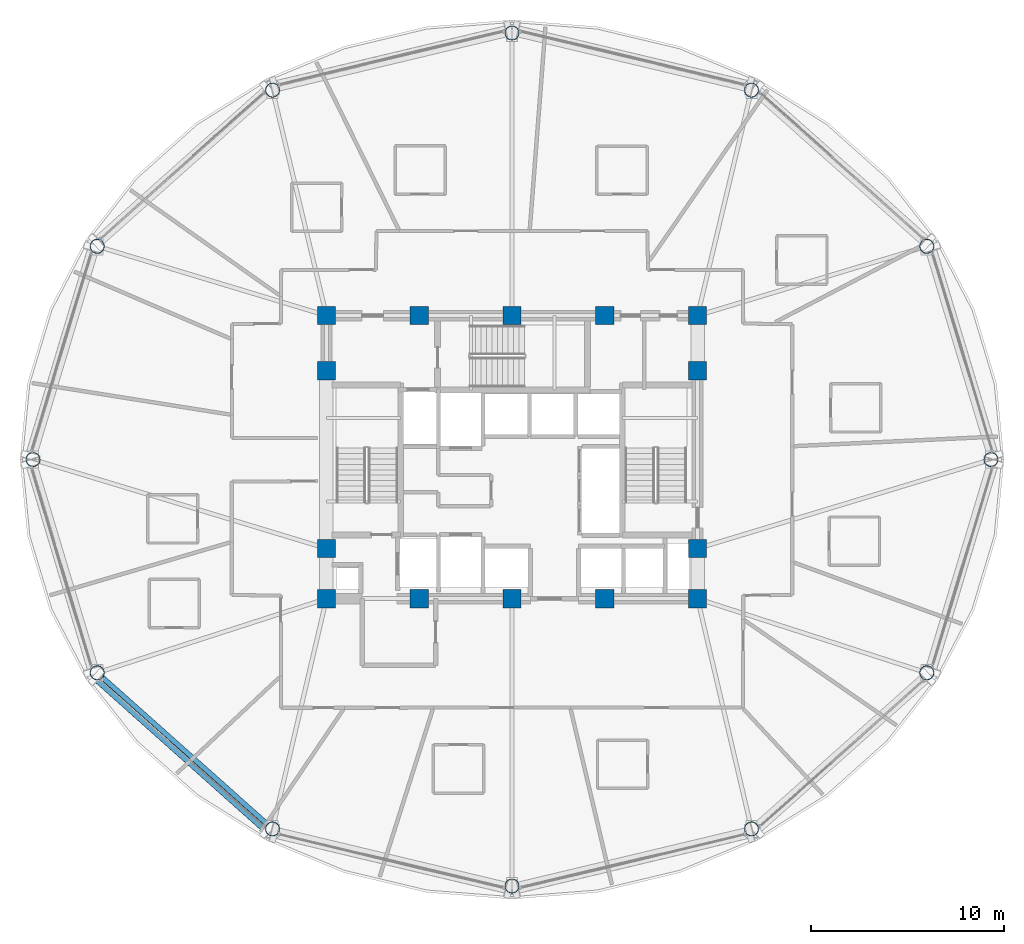
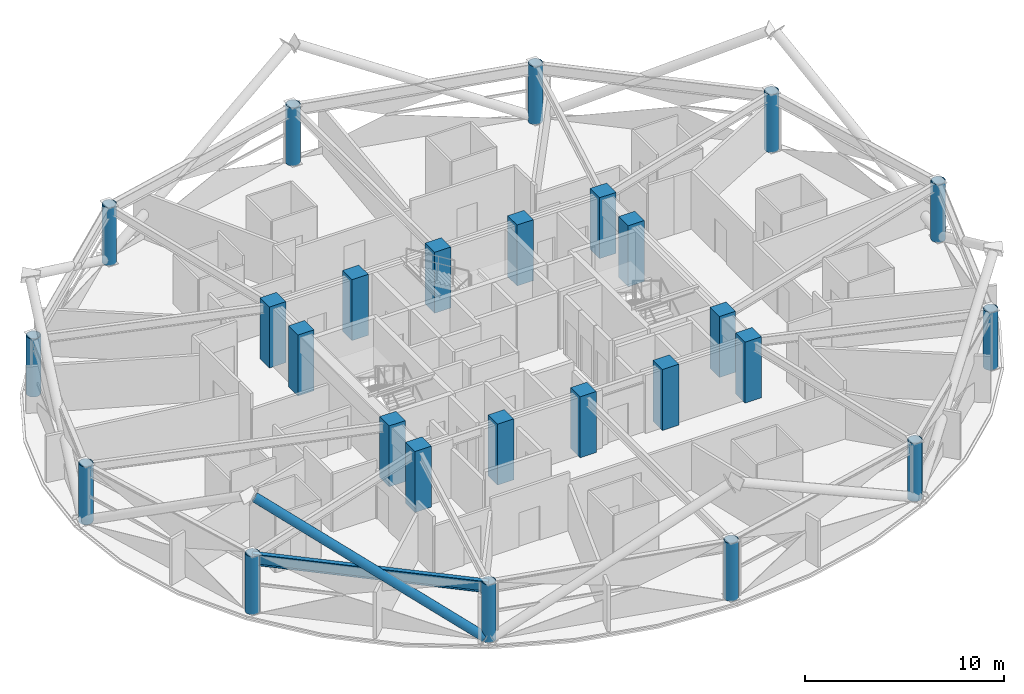
# One storey, part 1 of 29: 26 columns, 1 beam, 1 member.
"""IFC4 building model written with IfcOpenShell, lengths in metres."""

from ifc_helpers import new_model, si_unit, direction, frame, origin, origin_2d, place, context, subcontext, project, spatial, rectangle, hollow_circle, i_section, extrude, material, material_profile, profile_set, type_object, element, save


model = new_model("IFC4")

# Units and contexts
model_context = context("Model", 3, precision=1e-05, world=origin(), true_north=direction((0.0, 1.0)))
body_context = subcontext(model_context, "Body", "Model", "MODEL_VIEW")
ifc_project = project(units=[si_unit("LENGTHUNIT", "METRE"), si_unit("AREAUNIT", "SQUARE_METRE"), si_unit("VOLUMEUNIT", "CUBIC_METRE"), si_unit("PLANEANGLEUNIT", "RADIAN"), si_unit("MASSUNIT", "GRAM", prefix="KILO")], contexts=[model_context])

# Site, building, storey
site_placement = place(None, origin())
site = spatial("IfcSite", under=ifc_project, at=site_placement, CompositionType="ELEMENT")
building_placement = place(site_placement, origin())
building = spatial("IfcBuilding", under=site, at=building_placement, Name="Vantalir Tower", CompositionType="ELEMENT")
storey_placement = place(building_placement, frame((0.0, 0.0, 149.699951171875)))
storey = spatial("IfcBuildingStorey", under=building, at=storey_placement, Name="L37", CompositionType="ELEMENT", Elevation=149.699951171875)

# Columns
ifc_material_1 = material(Name="Concrete C60/75", Category="concrete")
ifc_material_profile_1 = material_profile(ifc_material_1, rectangle(XDim=0.949951171875, YDim=0.949951171875, at=origin_2d()), Name="Concrete C60/75")
ifc_profile_set_1 = profile_set([ifc_material_profile_1], Name="Concrete C60/75")
column_type_1 = type_object("IfcColumnType", Name="COL-CC-950", PredefinedType="COLUMN", material=ifc_profile_set_1)
for number, where, z_axis, x_axis, name in (
    (1, (21.89990234375, 17.800048828125, 0.0), (0.0, 0.0, 1.0), (1.0, 0.0, 0.0), "L37 Core Column CC01"),
    (2, (26.699951171875, 17.800048828125, 0.0), (0.0, 0.0, 1.0), (1.0, 0.0, 0.0), "L37 Core Column CC02"),
    (3, (31.5, 17.800048828125, 0.0), (0.0, 0.0, 1.0), (1.0, 0.0, 0.0), "L37 Core Column CC03"),
    (4, (36.300048828125, 17.800048828125, 0.0), (0.0, 0.0, 1.0), (1.0, 0.0, 0.0), "L37 Core Column CC04"),
    (5, (41.10009765625, 17.800048828125, 0.0), (0.0, 0.0, 1.0), (1.0, 0.0, 0.0), "L37 Core Column CC05"),
    (6, (21.89990234375, 20.39990234375, 0.0), (0.0, 0.0, 1.0), (1.0, 0.0, 0.0), "L37 Core Column CC06"),
    (7, (21.89990234375, 29.60009765625, 0.0), (0.0, 0.0, 1.0), (1.0, 0.0, 0.0), "L37 Core Column CC07"),
    (8, (41.10009765625, 20.39990234375, 0.0), (0.0, 0.0, 1.0), (1.0, 0.0, 0.0), "L37 Core Column CC08"),
    (9, (41.10009765625, 29.60009765625, 0.0), (0.0, 0.0, 1.0), (1.0, 0.0, 0.0), "L37 Core Column CC09"),
    (10, (21.89990234375, 32.449951171875, 0.0), (0.0, 0.0, 1.0), (1.0, 0.0, 0.0), "L37 Core Column CC10"),
    (11, (26.699951171875, 32.449951171875, 0.0), (0.0, 0.0, 1.0), (1.0, 0.0, 0.0), "L37 Core Column CC11"),
    (12, (31.5, 32.449951171875, 0.0), (0.0, 0.0, 1.0), (1.0, 0.0, 0.0), "L37 Core Column CC12"),
    (13, (36.300048828125, 32.449951171875, 0.0), (0.0, 0.0, 1.0), (1.0, 0.0, 0.0), "L37 Core Column CC13"),
    (14, (41.10009765625, 32.449951171875, 0.0), (0.0, 0.0, 1.0), (1.0, 0.0, 0.0), "L37 Core Column CC14"),
):
    element("IfcColumn", number, at=place(storey_placement, frame(where, z_axis=z_axis, x_axis=x_axis)), inside=storey, type_object=column_type_1, Name=name, PredefinedType="COLUMN", context=body_context, shape_type="SweptSolid", body=[
        extrude(rectangle(XDim=0.949951171875, YDim=0.949951171875, at=origin_2d()), origin(), (0.0, 0.0, 1.0), 3.75),
    ])
ifc_material_2 = material(Name="Steel S460", Category="steel")
ifc_material_profile_2 = material_profile(ifc_material_2, hollow_circle(Radius=0.375, WallThickness=0.034912109375, at=origin_2d()), Name="Steel S460")
ifc_profile_set_2 = profile_set([ifc_material_profile_2], Name="Steel S460")
column_type_2 = type_object("IfcColumnType", Name="COL-RC-750", PredefinedType="COLUMN", material=ifc_profile_set_2)
for number, where, z_axis, x_axis, name in (
    (15, (56.282958984375, 25.0, 0.0), (0.0, 0.0, 1.0), (1.0, 0.0, 0.0), "L37 Perimeter Ring Column RC01"),
    (16, (52.962890625, 36.033935546875, 0.0), (0.0, 0.0, 1.0), (1.0, 0.0, 0.0), "L37 Perimeter Ring Column RC02"),
    (17, (43.89208984375, 44.112060546875, 0.0), (0.0, 0.0, 1.0), (1.0, 0.0, 0.0), "L37 Perimeter Ring Column RC03"),
    (18, (31.5, 47.069091796875, 0.0), (0.0, 0.0, 1.0), (1.0, 0.0, 0.0), "L37 Perimeter Ring Column RC04"),
    (19, (19.10888671875, 44.112060546875, 0.0), (0.0, 0.0, 1.0), (1.0, 0.0, 0.0), "L37 Perimeter Ring Column RC05"),
    (20, (10.037109375, 36.033935546875, 0.0), (0.0, 0.0, 1.0), (1.0, 0.0, 0.0), "L37 Perimeter Ring Column RC06"),
    (21, (6.717041015625, 25.0, 0.0), (0.0, 0.0, 1.0), (1.0, 0.0, 0.0), "L37 Perimeter Ring Column RC07"),
    (22, (10.037109375, 13.965087890625, 0.0), (0.0, 0.0, 1.0), (1.0, 0.0, 0.0), "L37 Perimeter Ring Column RC08"),
    (23, (19.10791015625, 5.887939453125, 0.0), (0.0, 0.0, 1.0), (1.0, 0.0, 0.0), "L37 Perimeter Ring Column RC09"),
    (24, (31.5, 2.930908203125, 0.0), (0.0, 0.0, 1.0), (1.0, 0.0, 0.0), "L37 Perimeter Ring Column RC10"),
    (25, (43.89208984375, 5.887939453125, 0.0), (0.0, 0.0, 1.0), (1.0, 0.0, 0.0), "L37 Perimeter Ring Column RC11"),
    (26, (52.962890625, 13.965087890625, 0.0), (0.0, 0.0, 1.0), (1.0, 0.0, 0.0), "L37 Perimeter Ring Column RC12"),
):
    element("IfcColumn", number, at=place(storey_placement, frame(where, z_axis=z_axis, x_axis=x_axis)), inside=storey, type_object=column_type_2, Name=name, PredefinedType="COLUMN", context=body_context, shape_type="SweptSolid", body=[
        extrude(hollow_circle(Radius=0.375, WallThickness=0.034912109375, at=origin_2d()), origin(), (0.0, 0.0, 1.0), 3.570068359375),
    ])

# Beam
ifc_material_profile_3 = material_profile(ifc_material_2, i_section(OverallWidth=0.256103515625, OverallDepth=0.693115234375, WebThickness=0.014404296875, FlangeThickness=0.023681640625, at=origin_2d()), Name="Steel S460")
ifc_profile_set_3 = profile_set([ifc_material_profile_3], Name="Steel S460")
beam_type = type_object("IfcBeamType", Name="BM-RG-686x254", PredefinedType="USERDEFINED", material=ifc_profile_set_3)
beam_placement = place(storey_placement, frame((10.037109375, 13.965087890625, 3.22412109375), z_axis=(0.746827909531, -0.665017348305, 0.0), x_axis=(0.665017348305, 0.746827909531, 0.0)))
element("IfcBeam", 27, at=beam_placement, inside=storey, type_object=beam_type, Name="L37 Circumferential Ring Girder 08", ObjectType="GIRDER", PredefinedType="USERDEFINED", context=body_context, shape_type="SweptSolid", body=[
    extrude(i_section(OverallWidth=0.256103515625, OverallDepth=0.693115234375, WebThickness=0.014404296875, FlangeThickness=0.023681640625, at=origin_2d()), origin(), (0.0, 0.0, 1.0), 12.145751953125),
])

# Member
ifc_material_profile_4 = material_profile(ifc_material_2, hollow_circle(Radius=0.260009765625, WallThickness=0.0380859375, at=origin_2d()), Name="Steel S460")
ifc_profile_set_4 = profile_set([ifc_material_profile_4], Name="Steel S460")
member_type = type_object("IfcMemberType", Name="MEM-DB-520x38", PredefinedType="BRACE", material=ifc_profile_set_4)
member_placement = place(storey_placement, frame((18.87109375, 5.84912109375, 0.191162109375), z_axis=(-0.644372079424, 0.574419295172, 0.504804018004), x_axis=(-0.665427113385, -0.746462830134, 0.0)))
element("IfcMember", 28, at=member_placement, inside=storey, type_object=member_type, Name="L37 Perimeter S460 Diagrid Brace R25R", PredefinedType="BRACE", context=body_context, shape_type="SweptSolid", body=[
    extrude(hollow_circle(Radius=0.260009765625, WallThickness=0.0380859375, at=origin_2d()), origin(), (0.0, 0.0, 1.0), 13.743896484375),
])

save(model, "model.ifc")
